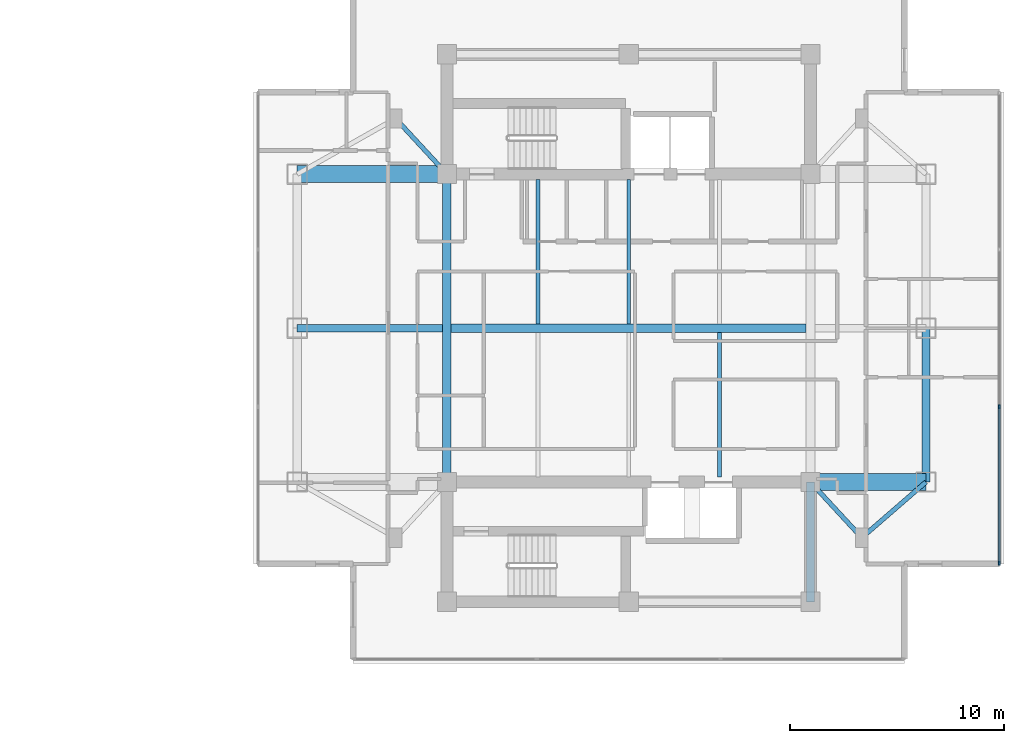
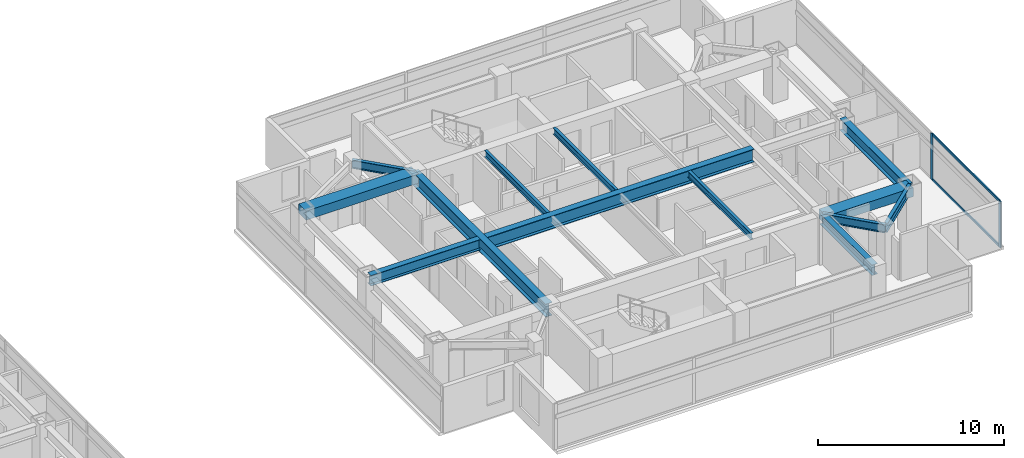
# One storey, part 9 of 24: 13 beams, 4 members, 1 element without a shape of its own.
"""IFC4 building model written with IfcOpenShell, lengths in metres."""

import ifcopenshell
import ifcopenshell.guid

model = None  # the IFC model being written
_history = None  # IfcOwnerHistory: only IFC2X3 demands one
_inside = {}  # id of a spatial element -> (the spatial element, [elements in it])
_under = {}  # id of a project, library or spatial element -> (it, [spatial elements below it])
_declared = {}  # id of a project -> (the project, [libraries it declares])
_typed = {}  # id of a type object -> (the type object, [elements of that type])
_made_of = {}  # id of a material, layer set ... -> (it, [elements and type objects made of it])


def new_model(schema):
    """Start an empty IFC model of exactly this schema.

    Asked for "IFC4X3", IfcOpenShell would pick the latest addendum, in which some entities
    have other attributes; the version numbers below select the first issue.
    IFC2X3 requires an IfcOwnerHistory on every rooted entity: one is made here for all.
    """
    global model, _history
    if schema == "IFC4X3":
        model = ifcopenshell.file(schema_version=(4, 3, 0, 0))
    else:
        model = ifcopenshell.file(schema=schema)
    _inside.clear()
    _under.clear()
    _declared.clear()
    _typed.clear()
    _made_of.clear()
    _history = None
    if model.schema == "IFC2X3":
        org = make("IfcOrganization", Name="unknown")
        user = make(
            "IfcPersonAndOrganization",
            ThePerson=make("IfcPerson", FamilyName="unknown"),
            TheOrganization=org,
        )
        app = make(
            "IfcApplication",
            ApplicationDeveloper=org,
            Version="unknown",
            ApplicationFullName="unknown",
            ApplicationIdentifier="unknown",
        )
        _history = make(
            "IfcOwnerHistory",
            OwningUser=user,
            OwningApplication=app,
            ChangeAction="ADDED",
            CreationDate=0,
        )
    return model


def make(cls, **values):
    """One entity of the class cls with the attributes given. An attribute that is None is left unset."""
    return model.create_entity(
        cls, **{name: value for name, value in values.items() if value is not None}
    )


def rooted(cls, **values):
    """An entity with a GlobalId (a new one), such as an element, a storey or a relation."""
    return make(cls, GlobalId=ifcopenshell.guid.new(), OwnerHistory=_history, **values)


def si_unit(unit_type, name, prefix=None):
    """IfcSIUnit, for example si_unit("LENGTHUNIT", "METRE", prefix="MILLI")."""
    return make("IfcSIUnit", UnitType=unit_type, Prefix=prefix, Name=name)


def assignment(units):
    """IfcUnitAssignment: the units of a project."""
    return None if units is None else make("IfcUnitAssignment", Units=units)


def point(xyz):
    """IfcCartesianPoint."""
    return None if xyz is None else make("IfcCartesianPoint", Coordinates=xyz)


def direction(xyz):
    """IfcDirection."""
    return None if xyz is None else make("IfcDirection", DirectionRatios=xyz)


def frame(location, z_axis=None, x_axis=None):
    """IfcAxis2Placement3D, a coordinate frame: its origin and axes. An axis left out is left unset."""
    return make(
        "IfcAxis2Placement3D",
        Location=point(location),
        Axis=direction(z_axis),
        RefDirection=direction(x_axis),
    )


def frame_2d(location, x_axis=None):
    """IfcAxis2Placement2D, a coordinate frame in the plane: its origin and x axis."""
    return make(
        "IfcAxis2Placement2D", Location=point(location), RefDirection=direction(x_axis)
    )


def origin():
    """The frame at (0, 0, 0) with its axes left unset."""
    return frame((0.0, 0.0, 0.0))


def origin_2d():
    """The frame at (0, 0) in the plane with its x axis left unset."""
    return frame_2d((0.0, 0.0))


def place(relative_to, where):
    """IfcLocalPlacement: puts the frame where relative to a parent placement (None: the world)."""
    return make(
        "IfcLocalPlacement", PlacementRelTo=relative_to, RelativePlacement=where
    )


def context(
    kind, dimensions, precision=None, world=None, true_north=None, identifier=None
):
    """IfcGeometricRepresentationContext, for example the 3D "Model" context."""
    return make(
        "IfcGeometricRepresentationContext",
        ContextIdentifier=identifier,
        ContextType=kind,
        CoordinateSpaceDimension=dimensions,
        Precision=precision,
        WorldCoordinateSystem=world,
        TrueNorth=true_north,
    )


def subcontext(parent, identifier, kind, view, scale=None):
    """IfcGeometricRepresentationSubContext, for example "Body" below "Model"."""
    return make(
        "IfcGeometricRepresentationSubContext",
        ContextIdentifier=identifier,
        ContextType=kind,
        ParentContext=parent,
        TargetScale=scale,
        TargetView=view,
    )


def project(units=None, contexts=None):
    """IfcProject with its units and contexts."""
    return rooted(
        "IfcProject",
        Name="project",
        RepresentationContexts=contexts,
        UnitsInContext=assignment(units),
    )


def spatial(cls, under=None, at=None, **own):
    """A site, building, storey or space (cls), placed at a placement, below another one or the project."""
    s = rooted(cls, ObjectPlacement=at, **own)
    if under is not None:
        _under.setdefault(under.id(), (under, []))[1].append(s)
    return s


def profile(cls, at=None, kind="AREA", **sizes):
    """A parametric profile (cls). Its sizes go by their IFC names, for example OverallWidth=200.0."""
    return make(cls, ProfileType=kind, Position=at, **sizes)


def rectangle(**sizes):
    """IfcRectangleProfileDef."""
    return profile("IfcRectangleProfileDef", **sizes)


def i_section(**sizes):
    """IfcIShapeProfileDef."""
    return profile("IfcIShapeProfileDef", **sizes)


def extrude(swept, where, along, depth):
    """IfcExtrudedAreaSolid: the profile swept, set in the frame where, extruded along a direction by depth."""
    return make(
        "IfcExtrudedAreaSolid",
        SweptArea=swept,
        Position=where,
        ExtrudedDirection=direction(along),
        Depth=depth,
    )


def shape(context_of_items, identifier, shape_type, items):
    """IfcShapeRepresentation: the items that make up one representation, for example the "Body"."""
    return make(
        "IfcShapeRepresentation",
        ContextOfItems=context_of_items,
        RepresentationIdentifier=identifier,
        RepresentationType=shape_type,
        Items=items,
    )


def material(Name=None, Category=None):
    """IfcMaterial."""
    return make("IfcMaterial", Name=Name, Category=Category)


def material_profile(
    of_material, cross_section, Name=None, Category=None, Priority=None
):
    """IfcMaterialProfile: a cross section and its material."""
    return make(
        "IfcMaterialProfile",
        Name=Name,
        Material=of_material,
        Profile=cross_section,
        Priority=Priority,
        Category=Category,
    )


def profile_set(profiles, Name=None, composite=None):
    """IfcMaterialProfileSet."""
    return make(
        "IfcMaterialProfileSet",
        Name=Name,
        MaterialProfiles=profiles,
        CompositeProfile=composite,
    )


def made_of(thing, what):
    """Note that an element or type object is made of a material, layer set ...; save() writes the relation."""
    if what is not None:
        _made_of.setdefault(what.id(), (what, []))[1].append(thing)
    return thing


def type_object(cls, material=None, **own):
    """A type object (cls), such as IfcWallType, which elements share."""
    return made_of(rooted(cls, **own), material)


def element(
    cls,
    number,
    at=None,
    inside=None,
    cuts=None,
    type_object=None,
    material=None,
    context=None,
    identifier="Body",
    shape_type=None,
    held_by="IfcProductDefinitionShape",
    body=None,
    shapes=None,
    **own,
):
    """One element of the class cls, such as IfcWall. Its Tag is "e" and its number.

    at: its placement. inside: the storey or other place that contains it. cuts: it is an
    opening in that element (IfcRelVoidsElement). A single representation is given by context,
    identifier, shape_type and body (its items); several are given by shapes. held_by: the class
    of the entity that holds the representations. save() writes the other relations.
    """
    e = rooted(cls, Tag="e%d" % number, ObjectPlacement=at, **own)
    if body is not None:
        shapes = [shape(context, identifier, shape_type, body)]
    if shapes is not None:
        e.Representation = make(held_by, Representations=shapes)
    if inside is not None:
        _inside.setdefault(inside.id(), (inside, []))[1].append(e)
    if cuts is not None:
        rooted(
            "IfcRelVoidsElement", RelatingBuildingElement=cuts, RelatedOpeningElement=e
        )
    if type_object is not None:
        _typed.setdefault(type_object.id(), (type_object, []))[1].append(e)
    return made_of(e, material)


def aggregate(whole, parts):
    """IfcRelAggregates: a whole, such as a stair, and the parts it consists of."""
    return rooted("IfcRelAggregates", RelatingObject=whole, RelatedObjects=parts)


def save(model, path):
    """Write the relations noted so far, then the file.

    IfcRelAggregates (storeys below a building ...), IfcRelContainedInSpatialStructure (elements
    in a storey), IfcRelDefinesByType, IfcRelAssociatesMaterial and IfcRelDeclares: one each for
    every whole, place, type object, material and project.
    """
    for whole, parts in _under.values():
        aggregate(whole, parts)
    for where, things in _inside.values():
        rooted(
            "IfcRelContainedInSpatialStructure",
            RelatedElements=things,
            RelatingStructure=where,
        )
    for kind, things in _typed.values():
        rooted("IfcRelDefinesByType", RelatedObjects=things, RelatingType=kind)
    for what, things in _made_of.values():
        rooted("IfcRelAssociatesMaterial", RelatedObjects=things, RelatingMaterial=what)
    for by, libraries in _declared.values():
        rooted("IfcRelDeclares", RelatingContext=by, RelatedDefinitions=libraries)
    model.write(path)


model = new_model("IFC4")

# Units and contexts
model_context = context("Model", 3, precision=1e-05, world=origin(), true_north=direction((0.0, 1.0)))
body_context = subcontext(model_context, "Body", "Model", "MODEL_VIEW")
ifc_project = project(units=[si_unit("LENGTHUNIT", "METRE"), si_unit("AREAUNIT", "SQUARE_METRE"), si_unit("VOLUMEUNIT", "CUBIC_METRE"), si_unit("PLANEANGLEUNIT", "RADIAN"), si_unit("MASSUNIT", "GRAM", prefix="KILO")], contexts=[model_context])

# Site, building, storey
site_placement = place(None, origin())
site = spatial("IfcSite", under=ifc_project, at=site_placement, CompositionType="ELEMENT")
building_placement = place(site_placement, origin())
building = spatial("IfcBuilding", under=site, at=building_placement, Name="Mirazonda Arch Towers", CompositionType="ELEMENT")
storey_placement = place(building_placement, frame((0.0, 0.0, 196.64990234375)))
storey = spatial("IfcBuildingStorey", under=building, at=storey_placement, Name="L56", CompositionType="ELEMENT", Elevation=196.64990234375)

# Beams
ifc_material_1 = material(Name="Steel ASTM A992 Grade 50", Category="steel")
ifc_material_profile_1 = material_profile(ifc_material_1, i_section(OverallWidth=0.381103515625, OverallDepth=0.77294921875, WebThickness=0.0166015625, FlangeThickness=0.027099609375, at=origin_2d()), Name="W30X173")
ifc_profile_set_1 = profile_set([ifc_material_profile_1], Name="Steel ASTM A992 Grade 50")
beam_type_1 = type_object("IfcBeamType", Name="BM-EXT-W30X173", PredefinedType="USERDEFINED", material=ifc_profile_set_1)
beam_1_placement = place(storey_placement, frame((90.39990234375, 20.800048828125, 2.66357421875), z_axis=(0.0, 1.0, 0.0), x_axis=(-1.0, 0.0, 0.0)))
element("IfcBeam", 1, at=beam_1_placement, inside=storey, type_object=beam_type_1, Name="L56 Floor Beam BM-T2-L56-NS-E-20", ObjectType="GIRDER", PredefinedType="USERDEFINED", context=body_context, shape_type="SweptSolid", body=[
    extrude(i_section(OverallWidth=0.381103515625, OverallDepth=0.77294921875, WebThickness=0.0166015625, FlangeThickness=0.027099609375, at=origin_2d()), origin(), (0.0, 0.0, 1.0), 7.199951171875),
])
ifc_material_profile_2 = material_profile(ifc_material_1, i_section(OverallWidth=0.180908203125, OverallDepth=0.4169921875, WebThickness=0.010986328125, FlangeThickness=0.018310546875, at=origin_2d()), Name="W16X57")
ifc_profile_set_2 = profile_set([ifc_material_profile_2], Name="Steel ASTM A992 Grade 50")
beam_type_2 = type_object("IfcBeamType", Name="BM-INT-W16X57", PredefinedType="JOIST", material=ifc_profile_set_2)
for number, where, z_axis, x_axis, name in (
    (2, (72.25, 28.196044921875, 2.841552734375), (0.0, 1.0, 0.0), (-1.0, 0.0, 0.0), "L56 Floor Beam BM-T2-L56-J-722-28"),
    (3, (76.5, 28.196044921875, 2.841552734375), (0.0, 1.0, 0.0), (-1.0, 0.0, 0.0), "L56 Floor Beam BM-T2-L56-J-765-28"),
    (4, (80.75, 21.0400390625, 2.841552734375), (0.0, 1.0, 0.0), (-1.0, 0.0, 0.0), "L56 Floor Beam BM-T2-L56-J-807-20"),
):
    element("IfcBeam", number, at=place(storey_placement, frame(where, z_axis=z_axis, x_axis=x_axis)), inside=storey, type_object=beam_type_2, Name=name, PredefinedType="JOIST", context=body_context, shape_type="SweptSolid", body=[
        extrude(i_section(OverallWidth=0.180908203125, OverallDepth=0.4169921875, WebThickness=0.010986328125, FlangeThickness=0.018310546875, at=origin_2d()), origin(), (0.0, 0.0, 1.0), 6.763916015625),
    ])
ifc_material_profile_3 = material_profile(ifc_material_1, i_section(OverallWidth=0.214111328125, OverallDepth=0.549072265625, WebThickness=0.0146484375, FlangeThickness=0.023681640625, at=origin_2d()), Name="W21X93")
ifc_profile_set_3 = profile_set([ifc_material_profile_3], Name="Steel ASTM A992 Grade 50")
beam_type_3 = type_object("IfcBeamType", Name="BM-INT-W21X93", PredefinedType="BEAM", material=ifc_profile_set_3)
beam_2_placement = place(storey_placement, frame((87.39990234375, 18.199951171875, 2.775634765625), z_axis=(-0.678251444854, 0.734829897019, 0.0), x_axis=(-0.734829897019, -0.678251444854, 0.0)))
element("IfcBeam", 5, at=beam_2_placement, inside=storey, type_object=beam_type_3, Name="L56 Floor Beam BM-T2-L56-PL-SE1", PredefinedType="BEAM", context=body_context, shape_type="SweptSolid", body=[
    extrude(i_section(OverallWidth=0.214111328125, OverallDepth=0.549072265625, WebThickness=0.0146484375, FlangeThickness=0.023681640625, at=origin_2d()), origin(), (0.0, 0.0, 1.0), 3.538330078125),
])
beam_3_placement = place(storey_placement, frame((87.39990234375, 18.199951171875, 2.775634765625), z_axis=(0.755676908098, 0.654944585876, 0.0), x_axis=(-0.654944585876, 0.755676908098, 0.0)))
element("IfcBeam", 6, at=beam_3_placement, inside=storey, type_object=beam_type_3, Name="L56 Floor Beam BM-T2-L56-PL-SE2", PredefinedType="BEAM", context=body_context, shape_type="SweptSolid", body=[
    extrude(i_section(OverallWidth=0.214111328125, OverallDepth=0.549072265625, WebThickness=0.0146484375, FlangeThickness=0.023681640625, at=origin_2d()), origin(), (0.0, 0.0, 1.0), 3.969970703125),
])
beam_4_placement = place(storey_placement, frame((65.60009765625, 37.800048828125, 2.775634765625), z_axis=(0.678251444854, -0.734829897019, 0.0), x_axis=(0.734829897019, 0.678251444854, 0.0)))
element("IfcBeam", 7, at=beam_4_placement, inside=storey, type_object=beam_type_3, Name="L56 Floor Beam BM-T2-L56-PL-NW1", PredefinedType="BEAM", context=body_context, shape_type="SweptSolid", body=[
    extrude(i_section(OverallWidth=0.214111328125, OverallDepth=0.549072265625, WebThickness=0.0146484375, FlangeThickness=0.023681640625, at=origin_2d()), origin(), (0.0, 0.0, 1.0), 3.538330078125),
])
ifc_material_profile_4 = material_profile(ifc_material_1, i_section(OverallWidth=0.35498046875, OverallDepth=0.696044921875, WebThickness=0.015380859375, FlangeThickness=0.02490234375, at=origin_2d()), Name="W27X146")
ifc_profile_set_4 = profile_set([ifc_material_profile_4], Name="Steel ASTM A992 Grade 50")
beam_type_4 = type_object("IfcBeamType", Name="BM-INT-W27X146", PredefinedType="BEAM", material=ifc_profile_set_4)
beam_5_placement = place(storey_placement, frame((85.0, 15.199951171875, 2.7021484375), z_axis=(0.0, 1.0, 0.0), x_axis=(-1.0, 0.0, 0.0)))
element("IfcBeam", 8, at=beam_5_placement, inside=storey, type_object=beam_type_4, Name="L56 Floor Beam BM-T2-L56-CSE", PredefinedType="BEAM", context=body_context, shape_type="SweptSolid", body=[
    extrude(i_section(OverallWidth=0.35498046875, OverallDepth=0.696044921875, WebThickness=0.015380859375, FlangeThickness=0.02490234375, at=origin_2d()), origin(), (0.0, 0.0, 1.0), 5.60009765625),
])
beam_6_placement = place(storey_placement, frame((61.0, 28.0, 2.7021484375), z_axis=(1.0, 0.0, 0.0), x_axis=(0.0, 1.0, 0.0)))
element("IfcBeam", 9, at=beam_6_placement, inside=storey, type_object=beam_type_4, Name="L56 Floor Beam BM-T2-L56-GW2", PredefinedType="BEAM", context=body_context, shape_type="SweptSolid", body=[
    extrude(i_section(OverallWidth=0.35498046875, OverallDepth=0.696044921875, WebThickness=0.015380859375, FlangeThickness=0.02490234375, at=origin_2d()), origin(), (0.0, 0.0, 1.0), 6.800048828125),
])
ifc_material_profile_5 = material_profile(ifc_material_1, i_section(OverallWidth=0.39990234375, OverallDepth=0.85595703125, WebThickness=0.018310546875, FlangeThickness=0.029296875, at=origin_2d()), Name="W33X201")
ifc_profile_set_5 = profile_set([ifc_material_profile_5], Name="Steel ASTM A992 Grade 50")
beam_type_5 = type_object("IfcBeamType", Name="BM-INT-W33X201", PredefinedType="USERDEFINED", material=ifc_profile_set_5)
beam_7_placement = place(storey_placement, frame((68.199951171875, 28.0, 2.6220703125), z_axis=(1.0, 0.0, 0.0), x_axis=(0.0, 1.0, 0.0)))
element("IfcBeam", 10, at=beam_7_placement, inside=storey, type_object=beam_type_5, Name="L56 Floor Beam BM-T2-L56-GC2", ObjectType="GIRDER", PredefinedType="USERDEFINED", context=body_context, shape_type="SweptSolid", body=[
    extrude(i_section(OverallWidth=0.39990234375, OverallDepth=0.85595703125, WebThickness=0.018310546875, FlangeThickness=0.029296875, at=origin_2d()), origin(), (0.0, 0.0, 1.0), 16.60009765625),
])
beam_8_placement = place(storey_placement, frame((68.0, 20.800048828125, 2.6220703125), z_axis=(0.0, 1.0, 0.0), x_axis=(-1.0, 0.0, 0.0)))
element("IfcBeam", 11, at=beam_8_placement, inside=storey, type_object=beam_type_5, Name="L56 Floor Beam BM-T2-L56-NS-CW-FULL", ObjectType="GIRDER", PredefinedType="USERDEFINED", context=body_context, shape_type="SweptSolid", body=[
    extrude(i_section(OverallWidth=0.39990234375, OverallDepth=0.85595703125, WebThickness=0.018310546875, FlangeThickness=0.029296875, at=origin_2d()), origin(), (0.0, 0.0, 1.0), 14.39990234375),
])
ifc_material_2 = material(Name="Concrete C60/75", Category="concrete")
ifc_material_profile_6 = material_profile(ifc_material_2, rectangle(XDim=0.800048828125, YDim=0.60009765625, at=origin_2d()), Name="RCCB800x600")
ifc_profile_set_6 = profile_set([ifc_material_profile_6], Name="Concrete C60/75")
beam_type_6 = type_object("IfcBeamType", Name="CB-INT-RCCB800x600", PredefinedType="SPANDREL", material=ifc_profile_set_6)
beam_9_placement = place(storey_placement, frame((61.0, 35.199951171875, 2.75), z_axis=(1.0, 0.0, 0.0), x_axis=(0.0, 1.0, 0.0)))
element("IfcBeam", 12, at=beam_9_placement, inside=storey, type_object=beam_type_6, Name="L56 Floor Beam CBC-T2-L56-NW", PredefinedType="SPANDREL", context=body_context, shape_type="SweptSolid", body=[
    extrude(rectangle(XDim=0.800048828125, YDim=0.60009765625, at=origin_2d()), origin(), (0.0, 0.0, 1.0), 7.0),
])
beam_10_placement = place(storey_placement, frame((85.0, 20.800048828125, 2.75), z_axis=(1.0, 0.0, 0.0), x_axis=(0.0, 1.0, 0.0)))
element("IfcBeam", 13, at=beam_10_placement, inside=storey, type_object=beam_type_6, Name="L56 Floor Beam CBC-T2-L56-SE", PredefinedType="SPANDREL", context=body_context, shape_type="SweptSolid", body=[
    extrude(rectangle(XDim=0.800048828125, YDim=0.60009765625, at=origin_2d()), origin(), (0.0, 0.0, 1.0), 5.39990234375),
])

# Curtain wall, members
ifc_material_3 = material(Name="Anodised Aluminium and Low-E Glass", Category="aluminium")
curtain_wall_type = type_object("IfcCurtainWallType", Name="CW-RES-UNIT", PredefinedType="NOTDEFINED", material=ifc_material_3)
curtain_wall_placement = place(storey_placement, origin())
curtain_wall = element("IfcCurtainWall", 14, at=curtain_wall_placement, inside=storey, type_object=curtain_wall_type, Name="L56 T2 E Facade CW-L56-T2-E", PredefinedType="NOTDEFINED")
ifc_material_4 = material(Name="Anodised Aluminium Alloy", Category="aluminium")
ifc_material_profile_7 = material_profile(ifc_material_4, rectangle(XDim=0.074951171875, YDim=0.175048828125, at=origin_2d()), Name="ALU-MULL-75x175")
ifc_profile_set_7 = profile_set([ifc_material_profile_7], Name="Anodised Aluminium Alloy")
member_type_1 = type_object("IfcMemberType", Name="MULL-CW-RES-UNIT", PredefinedType="MULLION", material=ifc_profile_set_7)
member_1_placement = place(storey_placement, frame((93.82958984375, 17.005615234375, 0.0), z_axis=(0.0, 0.0, 1.0), x_axis=(-1.0, 0.0, 0.0)))
member_1 = element("IfcMember", 15, at=member_1_placement, type_object=member_type_1, Name="CW-104 mullion 1", PredefinedType="MULLION", context=body_context, shape_type="SweptSolid", body=[
    extrude(rectangle(XDim=0.074951171875, YDim=0.175048828125, at=origin_2d()), origin(), (0.0, 0.0, 1.0), 3.030029296875),
])
member_2_placement = place(storey_placement, frame((93.82958984375, 24.32275390625, 0.0), z_axis=(0.0, 0.0, 1.0), x_axis=(-1.0, 0.0, 0.0)))
member_2 = element("IfcMember", 16, at=member_2_placement, type_object=member_type_1, Name="CW-104 mullion 2", PredefinedType="MULLION", context=body_context, shape_type="SweptSolid", body=[
    extrude(rectangle(XDim=0.074951171875, YDim=0.175048828125, at=origin_2d()), origin(), (0.0, 0.0, 1.0), 3.030029296875),
])
ifc_material_profile_8 = material_profile(ifc_material_4, rectangle(XDim=0.074951171875, YDim=0.155029296875, at=origin_2d()), Name="ALU-TRAN-75x155")
ifc_profile_set_8 = profile_set([ifc_material_profile_8], Name="Anodised Aluminium Alloy")
member_type_2 = type_object("IfcMemberType", Name="TRAN-CW-RES-UNIT", PredefinedType="USERDEFINED", material=ifc_profile_set_8)
member_3_placement = place(storey_placement, frame((93.82958984375, 17.04296875, 0.03759765625), z_axis=(0.0, 1.0, 0.0), x_axis=(-1.0, 0.0, 0.0)))
member_3 = element("IfcMember", 17, at=member_3_placement, type_object=member_type_2, Name="CW-104 transom 1.1", ObjectType="TRANSOM", PredefinedType="USERDEFINED", context=body_context, shape_type="SweptSolid", body=[
    extrude(rectangle(XDim=0.074951171875, YDim=0.155029296875, at=origin_2d()), origin(), (0.0, 0.0, 1.0), 7.2421875),
])
member_4_placement = place(storey_placement, frame((93.82958984375, 17.04296875, 2.99267578125), z_axis=(0.0, 1.0, 0.0), x_axis=(-1.0, 0.0, 0.0)))
member_4 = element("IfcMember", 18, at=member_4_placement, type_object=member_type_2, Name="CW-104 transom 1.2", ObjectType="TRANSOM", PredefinedType="USERDEFINED", context=body_context, shape_type="SweptSolid", body=[
    extrude(rectangle(XDim=0.074951171875, YDim=0.155029296875, at=origin_2d()), origin(), (0.0, 0.0, 1.0), 7.2421875),
])
aggregate(curtain_wall, [member_1, member_2, member_3, member_4])

save(model, "model.ifc")
